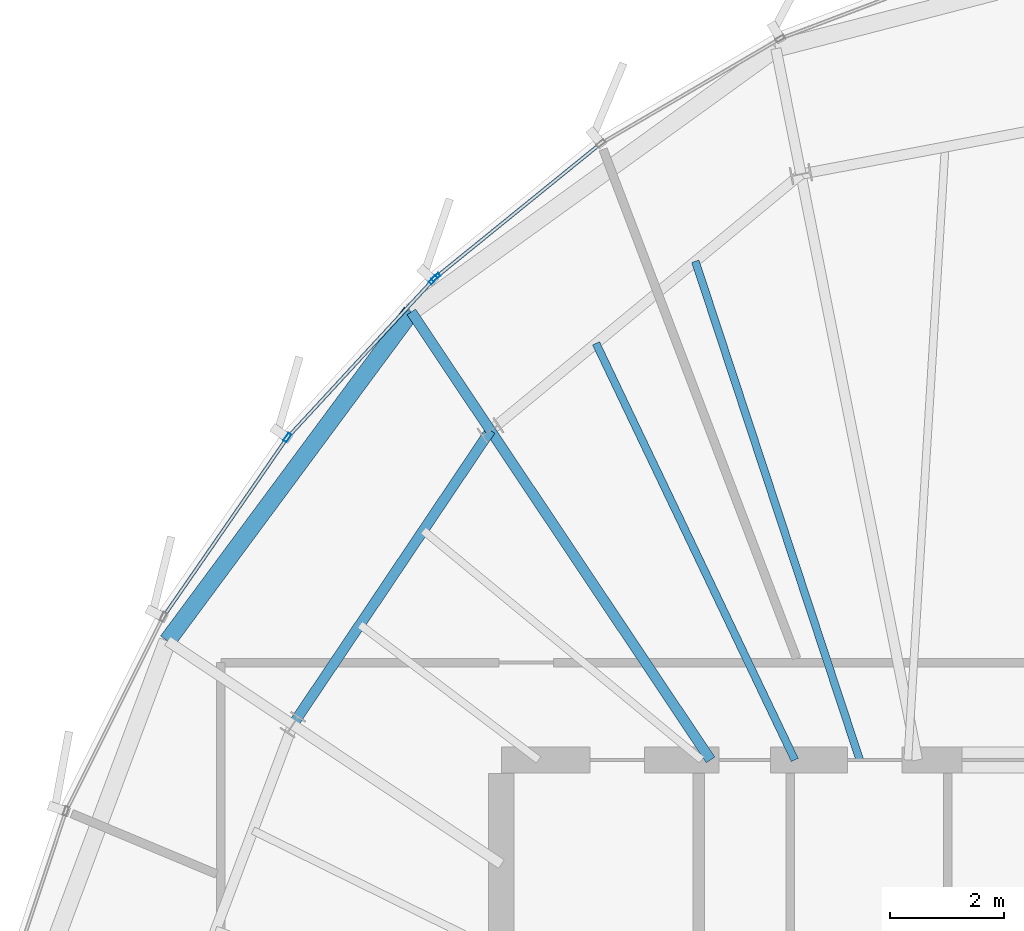
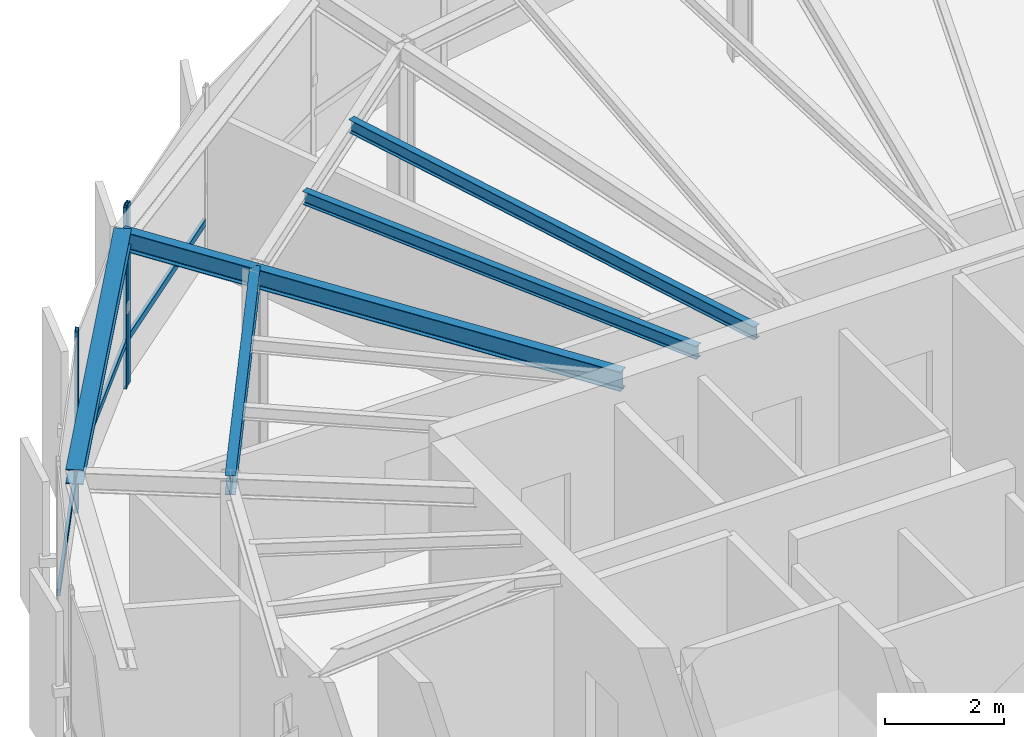
# One storey, part 14 of 25: 6 beams, 6 members, 2 elements without a shape of their own.
"""IFC4 building model written with IfcOpenShell, lengths in metres."""

from ifc_helpers import new_model, si_unit, direction, frame, origin, origin_2d, place, context, subcontext, project, spatial, hollow_rectangle, i_section, extrude, source, transform, mapped, material, layer, layer_set, material_profile, profile_set, type_object, element, aggregate, save


model = new_model("IFC4")

# Units and contexts
model_context = context("Model", 3, precision=1e-05, world=origin(), true_north=direction((0.0, 1.0)))
body_context = subcontext(model_context, "Body", "Model", "MODEL_VIEW")
ifc_project = project(units=[si_unit("LENGTHUNIT", "METRE"), si_unit("AREAUNIT", "SQUARE_METRE"), si_unit("VOLUMEUNIT", "CUBIC_METRE"), si_unit("PLANEANGLEUNIT", "RADIAN"), si_unit("MASSUNIT", "GRAM", prefix="KILO"), si_unit("THERMODYNAMICTEMPERATUREUNIT", "KELVIN")], contexts=[model_context])

# Site, building, storey
site_placement = place(None, origin())
site = spatial("IfcSite", under=ifc_project, at=site_placement, CompositionType="ELEMENT")
building_placement = place(site_placement, origin())
building = spatial("IfcBuilding", under=site, at=building_placement, Name="Kethvar Cultural Tower", CompositionType="ELEMENT")
storey_placement = place(building_placement, frame((0.0, 0.0, 304.300048828125)))
storey = spatial("IfcBuildingStorey", under=building, at=storey_placement, Name="L81", CompositionType="ELEMENT", Elevation=304.300048828125)

# Beams
ifc_material_1 = material(Name="Steel S355J2", Category="steel")
ifc_material_profile_1 = material_profile(ifc_material_1, i_section(OverallWidth=0.135009765625, OverallDepth=0.27001953125, WebThickness=0.006591796875, FlangeThickness=0.01025390625, FilletRadius=0.014892578125, at=origin_2d()), Name="Steel S355J2 — IPE270")
ifc_profile_set_1 = profile_set([ifc_material_profile_1], Name="Steel S355J2 — IPE270")
beam_type_1 = type_object("IfcBeamType", Name="BM-J270", PredefinedType="JOIST", material=ifc_profile_set_1)
shared_shape_1 = source(origin(), body_context, "Body", "SweptSolid", [
    extrude(i_section(OverallWidth=0.135009765625, OverallDepth=0.27001953125, WebThickness=0.006591796875, FlangeThickness=0.01025390625, FilletRadius=0.014892578125, at=origin_2d()), origin(), (0.0, 0.0, 1.0), 9.17138671875),
])
beam_1_placement = place(storey_placement, frame((44.260986328125, 35.5, 3.597900390625), z_axis=(-0.313151555446, 0.949703165901, 0.0), x_axis=(-0.949703165901, -0.313151555446, 0.0)))
element("IfcBeam", 1, at=beam_1_placement, inside=storey, type_object=beam_type_1, Name="L81 Composite Floor Joist J-05A", PredefinedType="JOIST", context=body_context, shape_type="MappedRepresentation", body=[
    mapped(shared_shape_1, transform((0.0, 0.0, 0.0), scale=1.0)),
])
shared_shape_2 = source(origin(), body_context, "Body", "SweptSolid", [
    extrude(i_section(OverallWidth=0.135009765625, OverallDepth=0.27001953125, WebThickness=0.006591796875, FlangeThickness=0.01025390625, FilletRadius=0.014892578125, at=origin_2d()), origin(), (0.0, 0.0, 1.0), 8.063232421875),
])
beam_2_placement = place(storey_placement, frame((43.1259765625, 35.5, 3.597900390625), z_axis=(-0.430642151588, 0.902522762746, 0.0), x_axis=(-0.902522762746, -0.430642151588, 0.0)))
element("IfcBeam", 2, at=beam_2_placement, inside=storey, type_object=beam_type_1, Name="L81 Composite Floor Joist J-05B", PredefinedType="JOIST", context=body_context, shape_type="MappedRepresentation", body=[
    mapped(shared_shape_2, transform((0.0, 0.0, 0.0), scale=1.0)),
])
ifc_material_profile_2 = material_profile(ifc_material_1, i_section(OverallWidth=0.179931640625, OverallDepth=0.39990234375, WebThickness=0.008544921875, FlangeThickness=0.013427734375, FilletRadius=0.02099609375, at=origin_2d()), Name="Steel S355J2 — IPE400")
ifc_profile_set_2 = profile_set([ifc_material_profile_2], Name="Steel S355J2 — IPE400")
beam_type_2 = type_object("IfcBeamType", Name="BM-IPE400", PredefinedType="BEAM", material=ifc_profile_set_2)
shared_shape_3 = source(origin(), body_context, "Body", "SweptSolid", [
    extrude(i_section(OverallWidth=0.179931640625, OverallDepth=0.39990234375, WebThickness=0.008544921875, FlangeThickness=0.013427734375, FilletRadius=0.02099609375, at=origin_2d()), origin(), (0.0, 0.0, 1.0), 6.921630859375),
])
beam_3_placement = place(storey_placement, frame((41.655029296875, 35.5, 3.532958984375), z_axis=(-0.555570841874, 0.831469205479, 0.0), x_axis=(-0.831469205479, -0.555570841874, 0.0)))
element("IfcBeam", 3, at=beam_3_placement, inside=storey, type_object=beam_type_2, Name="L81 Primary Radial Beam RB-06", PredefinedType="BEAM", context=body_context, shape_type="MappedRepresentation", body=[
    mapped(shared_shape_3, transform((0.0, 0.0, 0.0), scale=1.0)),
])
shared_shape_4 = source(origin(), body_context, "Body", "SweptSolid", [
    extrude(i_section(OverallWidth=0.179931640625, OverallDepth=0.39990234375, WebThickness=0.008544921875, FlangeThickness=0.013427734375, FilletRadius=0.02099609375, at=origin_2d()), origin(), (0.0, 0.0, 1.0), 2.490478515625),
])
beam_4_placement = place(storey_placement, frame((37.8095703125, 41.255126953125, 3.532958984375), z_axis=(-0.555604712769, 0.831446572637, 0.0), x_axis=(-0.831446572637, -0.555604712769, 0.0)))
element("IfcBeam", 4, at=beam_4_placement, inside=storey, type_object=beam_type_2, Name="L81 Perimeter Cantilever Beam RC-06", PredefinedType="BEAM", context=body_context, shape_type="MappedRepresentation", body=[
    mapped(shared_shape_4, transform((0.0, 0.0, 0.0), scale=1.0)),
])
shared_shape_5 = source(origin(), body_context, "Body", "SweptSolid", [
    extrude(i_section(OverallWidth=0.179931640625, OverallDepth=0.39990234375, WebThickness=0.008544921875, FlangeThickness=0.013427734375, FilletRadius=0.02099609375, at=origin_2d()), origin(), (0.0, 0.0, 1.0), 6.192626953125),
])
beam_5_placement = place(storey_placement, frame((37.8095703125, 41.255126953125, 3.532958984375), z_axis=(-0.557698912025, -0.830043326295, 0.0), x_axis=(0.830043326295, -0.557698912025, 0.0)))
element("IfcBeam", 5, at=beam_5_placement, inside=storey, type_object=beam_type_2, Name="L81 Column Ring Tie Beam CR-06", PredefinedType="BEAM", context=body_context, shape_type="MappedRepresentation", body=[
    mapped(shared_shape_5, transform((0.0, 0.0, 0.0), scale=1.0)),
])
ifc_material_profile_3 = material_profile(ifc_material_1, i_section(OverallWidth=0.300048828125, OverallDepth=0.300048828125, WebThickness=0.010986328125, FlangeThickness=0.01904296875, FilletRadius=0.027099609375, at=origin_2d()), Name="Steel S355J2 — HEB300")
ifc_profile_set_3 = profile_set([ifc_material_profile_3], Name="Steel S355J2 — HEB300")
beam_type_3 = type_object("IfcBeamType", Name="BM-SP300", PredefinedType="SPANDREL", material=ifc_profile_set_3)
shared_shape_6 = source(origin(), body_context, "Body", "SweptSolid", [
    extrude(i_section(OverallWidth=0.300048828125, OverallDepth=0.300048828125, WebThickness=0.010986328125, FlangeThickness=0.01904296875, FilletRadius=0.027099609375, at=origin_2d()), origin(), (0.0, 0.0, 1.0), 7.154296875),
])
beam_6_placement = place(storey_placement, frame((36.42578125, 43.325927734375, 3.5830078125), z_axis=(-0.595283044502, -0.803516083802, 0.0), x_axis=(0.803516083802, -0.595283044502, 0.0)))
element("IfcBeam", 6, at=beam_6_placement, inside=storey, type_object=beam_type_3, Name="L81 Perimeter Spandrel Beam SP-06", PredefinedType="SPANDREL", context=body_context, shape_type="MappedRepresentation", body=[
    mapped(shared_shape_6, transform((0.0, 0.0, 0.0), scale=1.0)),
])

# Curtain wall, member
ifc_material_2 = material(Name="Aluminium 6063-T6", Category="aluminium")
ifc_layer = layer(ifc_material_2, 0.179931640625, Name="Aluminium 6063-T6", Category="aluminium")
ifc_layer_set = layer_set([ifc_layer], Name="Aluminium 6063-T6 (180 mm)")
curtain_wall_type = type_object("IfcCurtainWallType", Name="CW-SYS-06-CROWN", PredefinedType="NOTDEFINED", material=ifc_layer_set)
curtain_wall_1_placement = place(storey_placement, origin())
curtain_wall_1 = element("IfcCurtainWall", 7, at=curtain_wall_1_placement, inside=storey, type_object=curtain_wall_type, Name="L81 Curtain Wall Run 01", PredefinedType="NOTDEFINED")
ifc_material_profile_4 = material_profile(ifc_material_2, hollow_rectangle(XDim=0.06494140625, YDim=0.159912109375, WallThickness=0.0048828125, at=origin_2d()), Name="Aluminium 6063-T6 — RHS160x65x5")
ifc_profile_set_4 = profile_set([ifc_material_profile_4], Name="Aluminium 6063-T6 — RHS160x65x5")
member_type_1 = type_object("IfcMemberType", Name="CW-SYS-06-CROWN-MUL", PredefinedType="MULLION", material=ifc_profile_set_4)
shared_shape_7 = source(origin(), body_context, "Body", "SweptSolid", [
    extrude(hollow_rectangle(XDim=0.06494140625, YDim=0.159912109375, WallThickness=0.0048828125, at=origin_2d()), origin(), (0.0, 0.0, 1.0), 3.73486328125),
])
member_1_placement = place(storey_placement, frame((36.856201171875, 43.931640625, 0.0), z_axis=(0.0, 0.0, 1.0), x_axis=(0.630025447073, -0.776574488404, 0.0)))
member_1 = element("IfcMember", 8, at=member_1_placement, type_object=member_type_1, Name="CW-L81-R01 Mullion 7", PredefinedType="MULLION", context=body_context, shape_type="MappedRepresentation", body=[
    mapped(shared_shape_7, transform((0.0, 0.0, 0.0), scale=1.0)),
])

# Curtain wall, members
curtain_wall_2_placement = place(storey_placement, origin())
curtain_wall_2 = element("IfcCurtainWall", 9, at=curtain_wall_2_placement, inside=storey, type_object=curtain_wall_type, Name="L81 Curtain Wall Run 02", PredefinedType="NOTDEFINED")
member_2_placement = place(storey_placement, frame((36.807373046875, 43.8857421875, 0.0), z_axis=(0.0, 0.0, 1.0), x_axis=(0.73465414636, -0.678441806816, 0.0)))
member_2 = element("IfcMember", 10, at=member_2_placement, type_object=member_type_1, Name="CW-L81-R02 Mullion 1", PredefinedType="MULLION", context=body_context, shape_type="MappedRepresentation", body=[
    mapped(shared_shape_7, transform((0.0, 0.0, 0.0), scale=1.0)),
])
member_3_placement = place(storey_placement, frame((34.260986328125, 41.13037109375, 0.0), z_axis=(0.0, 0.0, 1.0), x_axis=(0.822412216391, -0.568892033984, 0.0)))
member_3 = element("IfcMember", 11, at=member_3_placement, type_object=member_type_1, Name="CW-L81-R02 Mullion 2", PredefinedType="MULLION", context=body_context, shape_type="MappedRepresentation", body=[
    mapped(shared_shape_7, transform((0.0, 0.0, 0.0), scale=1.0)),
])

# Member
ifc_material_profile_5 = material_profile(ifc_material_2, hollow_rectangle(XDim=0.06005859375, YDim=0.139892578125, WallThickness=0.0048828125, at=origin_2d()), Name="Aluminium 6063-T6 — RHS140x60x5")
ifc_profile_set_5 = profile_set([ifc_material_profile_5], Name="Aluminium 6063-T6 — RHS140x60x5")
member_type_2 = type_object("IfcMemberType", Name="CW-SYS-06-CROWN-TRN", PredefinedType="USERDEFINED", material=ifc_profile_set_5)
shared_shape_8 = source(origin(), body_context, "Body", "SweptSolid", [
    extrude(hollow_rectangle(XDim=0.06005859375, YDim=0.139892578125, WallThickness=0.0048828125, at=origin_2d()), origin(), (0.0, 0.0, 1.0), 3.65966796875),
])
member_4_placement = place(storey_placement, frame((39.70166015625, 46.240234375, 0.949951171875), z_axis=(-0.776581076949, -0.630017325892, 0.0), x_axis=(0.630017325892, -0.776581076949, 0.0)))
member_4 = element("IfcMember", 12, at=member_4_placement, type_object=member_type_2, Name="CW-L81-R01 Transom 6", ObjectType="TRANSOM", PredefinedType="USERDEFINED", context=body_context, shape_type="MappedRepresentation", body=[
    mapped(shared_shape_8, transform((0.0, 0.0, 0.0), scale=1.0)),
])

aggregate(curtain_wall_1, [member_1, member_4])

shared_shape_9 = source(origin(), body_context, "Body", "SweptSolid", [
    extrude(hollow_rectangle(XDim=0.06005859375, YDim=0.139892578125, WallThickness=0.0048828125, at=origin_2d()), origin(), (0.0, 0.0, 1.0), 3.71728515625),
])
member_5_placement = place(storey_placement, frame((36.80419921875, 43.882568359375, 0.949951171875), z_axis=(-0.678438298145, -0.734657386549, 0.0), x_axis=(0.734657386549, -0.678438298145, 0.0)))
member_5 = element("IfcMember", 13, at=member_5_placement, type_object=member_type_2, Name="CW-L81-R02 Transom 1", ObjectType="TRANSOM", PredefinedType="USERDEFINED", context=body_context, shape_type="MappedRepresentation", body=[
    mapped(shared_shape_9, transform((0.0, 0.0, 0.0), scale=1.0)),
])

shared_shape_10 = source(origin(), body_context, "Body", "SweptSolid", [
    extrude(hollow_rectangle(XDim=0.06005859375, YDim=0.139892578125, WallThickness=0.0048828125, at=origin_2d()), origin(), (0.0, 0.0, 1.0), 3.732177734375),
])
member_6_placement = place(storey_placement, frame((34.234375, 41.091796875, 0.949951171875), z_axis=(-0.568914004629, -0.822397018074, 0.0), x_axis=(0.822397018074, -0.568914004629, 0.0)))
member_6 = element("IfcMember", 14, at=member_6_placement, type_object=member_type_2, Name="CW-L81-R02 Transom 2", ObjectType="TRANSOM", PredefinedType="USERDEFINED", context=body_context, shape_type="MappedRepresentation", body=[
    mapped(shared_shape_10, transform((0.0, 0.0, 0.0), scale=1.0)),
])

aggregate(curtain_wall_2, [member_2, member_3, member_5, member_6])

save(model, "model.ifc")
